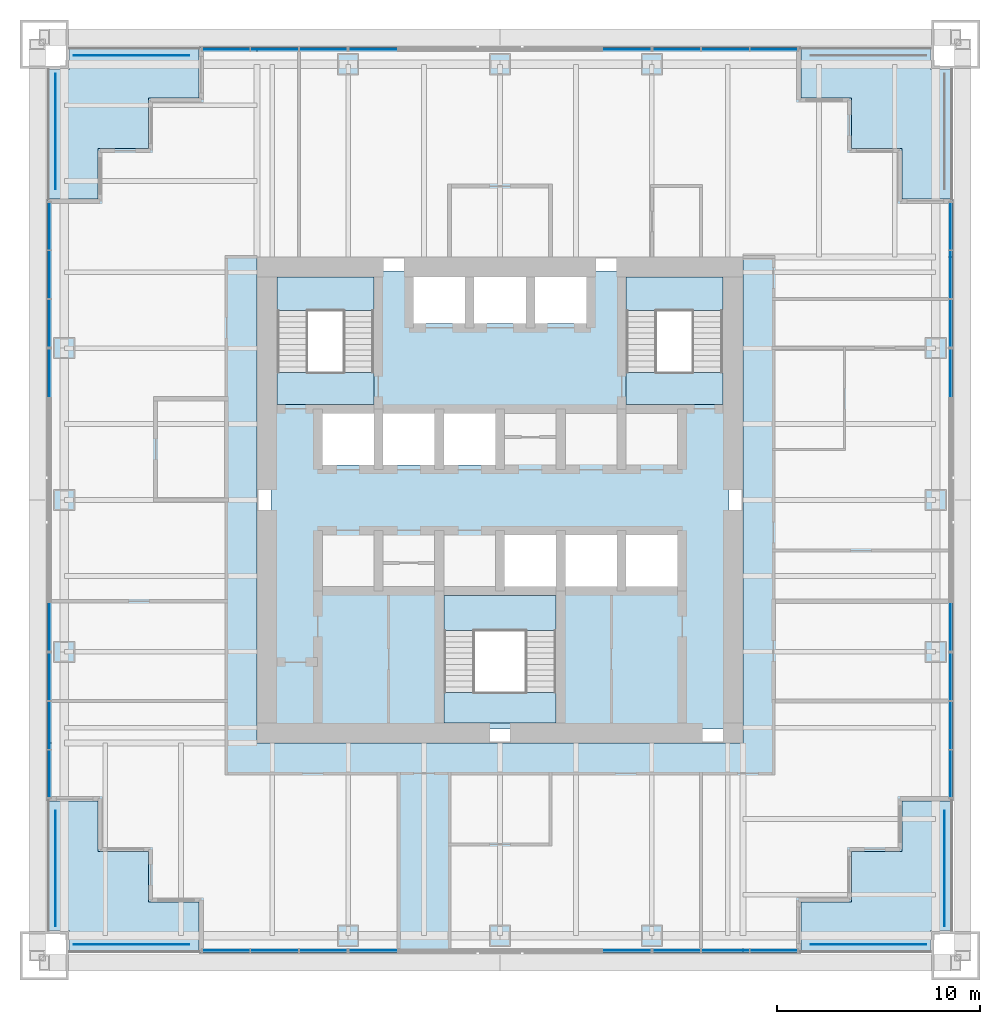
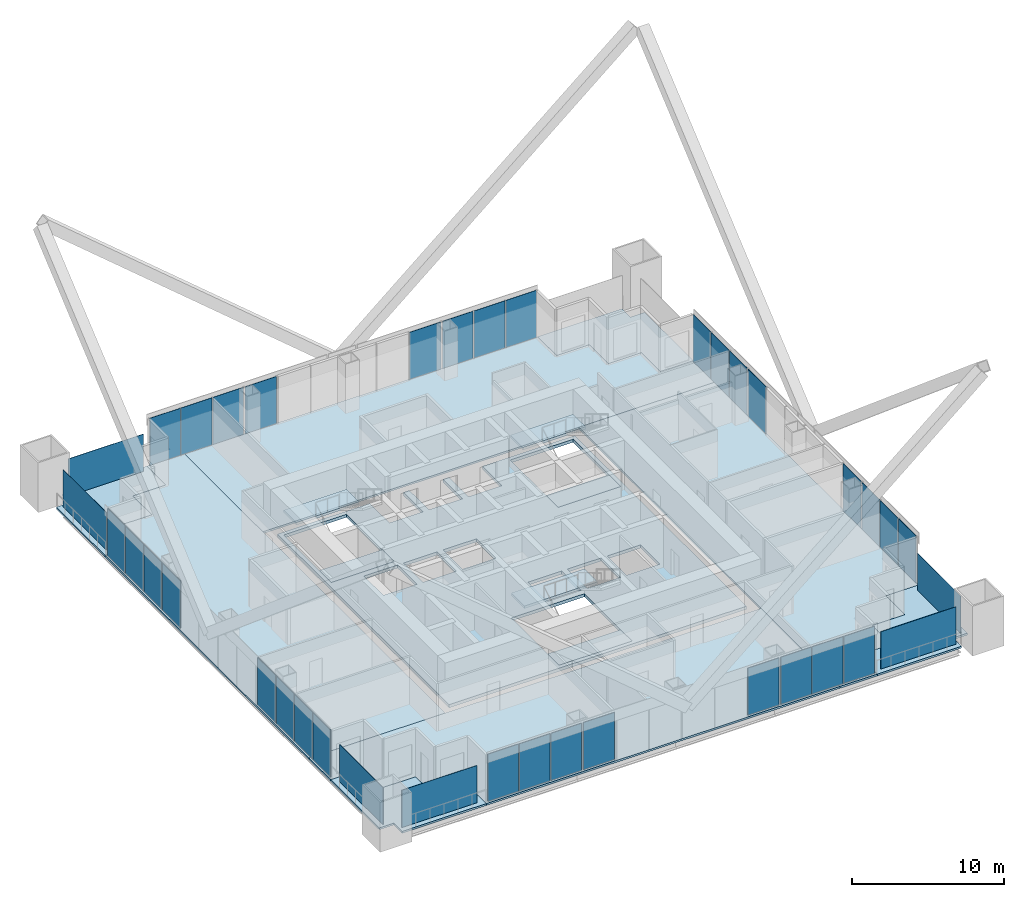
# One storey, part 13 of 19: 38 plates, 15 slabs, 19 elements without a shape of their own.
"""IFC4 building model written with IfcOpenShell, lengths in metres."""

from ifc_helpers import new_model, si_unit, direction, frame, origin, origin_2d, place, context, subcontext, project, spatial, polyline, rectangle, outline, extrude, material, layer, layer_set, type_object, element, aggregate, save


model = new_model("IFC4")

# Units and contexts
model_context = context("Model", 3, precision=1e-05, world=origin(), true_north=direction((0.0, 1.0)))
body_context = subcontext(model_context, "Body", "Model", "MODEL_VIEW")
ifc_project = project(units=[si_unit("LENGTHUNIT", "METRE"), si_unit("AREAUNIT", "SQUARE_METRE"), si_unit("VOLUMEUNIT", "CUBIC_METRE"), si_unit("PLANEANGLEUNIT", "RADIAN"), si_unit("MASSUNIT", "GRAM", prefix="KILO")], contexts=[model_context])

# Site, building, storey
site_placement = place(None, origin())
site = spatial("IfcSite", under=ifc_project, at=site_placement, CompositionType="ELEMENT")
building_placement = place(site_placement, origin())
building = spatial("IfcBuilding", under=site, at=building_placement, Name="Tarangal Relay Tower", CompositionType="ELEMENT")
storey_placement = place(building_placement, frame((0.0, 0.0, 193.89990234375)))
storey = spatial("IfcBuildingStorey", under=building, at=storey_placement, Name="L40", CompositionType="ELEMENT", Elevation=193.89990234375)

# Slabs
ifc_material_1 = material(Name="Concrete fc' 35 MPa", Category="concrete")
ifc_layer_1 = layer(ifc_material_1, 0.25)
ifc_layer_set_1 = layer_set([ifc_layer_1], Name="Core floor slab 250")
slab_type_1 = type_object("IfcSlabType", Name="Core floor slab 250", PredefinedType="FLOOR", material=ifc_layer_set_1)
slab_1_placement = place(storey_placement, frame((0.0, 0.0, -0.25)))
element("IfcSlab", 1, at=slab_1_placement, inside=storey, type_object=slab_type_1, Name="Core floor slab L40", PredefinedType="FLOOR", context=body_context, shape_type="SweptSolid", body=[
    extrude(outline(polyline([(11.300048828125, 11.300048828125), (11.300048828125, -11.300048828125), (-11.300048828125, -11.300048828125), (-11.300048828125, 11.300048828125), (-4.27490234375, 11.300048828125), (-4.27490234375, 8.72509765625), (-1.72509765625, 8.72509765625), (-1.72509765625, 11.300048828125), (-1.27490234375, 11.300048828125), (-1.27490234375, 8.72509765625), (1.27490234375, 8.72509765625), (1.27490234375, 11.300048828125), (1.72509765625, 11.300048828125), (1.72509765625, 8.72509765625), (4.27490234375, 8.72509765625), (4.27490234375, 11.300048828125), (11.300048828125, 11.300048828125)]), holes=[polyline([(-6.22509765625, 4.27490234375), (-8.77490234375, 4.27490234375), (-8.77490234375, 1.72509765625), (-6.22509765625, 1.72509765625), (-6.22509765625, 4.27490234375)]), polyline([(-3.22509765625, 1.72509765625), (-3.22509765625, 4.27490234375), (-5.77490234375, 4.27490234375), (-5.77490234375, 1.72509765625), (-3.22509765625, 1.72509765625)]), polyline([(-0.22509765625, 1.72509765625), (-0.22509765625, 4.27490234375), (-2.77490234375, 4.27490234375), (-2.77490234375, 1.72509765625), (-0.22509765625, 1.72509765625)]), polyline([(-6.22509765625, 11.0), (-11.0, 11.0), (-11.0, 4.72509765625), (-6.22509765625, 4.72509765625), (-6.22509765625, 11.0)]), polyline([(2.77490234375, -4.72509765625), (-2.77490234375, -4.72509765625), (-2.77490234375, -11.0), (2.77490234375, -11.0), (2.77490234375, -4.72509765625)]), polyline([(2.77490234375, -4.27490234375), (2.77490234375, -1.72509765625), (0.22509765625, -1.72509765625), (0.22509765625, -4.27490234375), (2.77490234375, -4.27490234375)]), polyline([(5.77490234375, -4.27490234375), (5.77490234375, -1.72509765625), (3.22509765625, -1.72509765625), (3.22509765625, -4.27490234375), (5.77490234375, -4.27490234375)]), polyline([(8.77490234375, -1.72509765625), (6.22509765625, -1.72509765625), (6.22509765625, -4.27490234375), (8.77490234375, -4.27490234375), (8.77490234375, -1.72509765625)]), polyline([(11.0, 4.72509765625), (11.0, 11.0), (6.22509765625, 11.0), (6.22509765625, 4.72509765625), (11.0, 4.72509765625)])]), origin(), (0.0, 0.0, 1.0), 0.25),
])
ifc_layer_2 = layer(ifc_material_1, 0.14990234375)
ifc_layer_set_2 = layer_set([ifc_layer_2], Name="Floor slab 150")
slab_type_2 = type_object("IfcSlabType", Name="Floor slab 150", PredefinedType="FLOOR", material=ifc_layer_set_2)
slab_2_placement = place(storey_placement, frame((0.0, 0.0, -0.14990234375)))
element("IfcSlab", 2, at=slab_2_placement, inside=storey, type_object=slab_type_2, Name="Floor slab FS3 L40 north bay", PredefinedType="FLOOR", context=body_context, shape_type="SweptSolid", body=[
    extrude(outline(polyline([(14.85009765625, 22.35009765625), (14.85009765625, 19.85009765625), (17.35009765625, 19.85009765625), (17.35009765625, 17.35009765625), (19.85009765625, 17.35009765625), (19.85009765625, 14.85009765625), (22.35009765625, 14.85009765625), (22.35009765625, 12.0), (-12.0, 12.0), (-12.0, 22.35009765625), (14.85009765625, 22.35009765625)])), origin(), (0.0, 0.0, 1.0), 0.14990234375),
])
slab_3_placement = place(storey_placement, frame((0.0, 0.0, -0.14990234375)))
element("IfcSlab", 3, at=slab_3_placement, inside=storey, type_object=slab_type_2, Name="Floor slab FS3 L40 east bay", PredefinedType="FLOOR", context=body_context, shape_type="SweptSolid", body=[
    extrude(outline(polyline([(22.35009765625, -14.85009765625), (19.85009765625, -14.85009765625), (19.85009765625, -17.35009765625), (17.35009765625, -17.35009765625), (17.35009765625, -19.85009765625), (14.85009765625, -19.85009765625), (14.85009765625, -22.35009765625), (12.0, -22.35009765625), (12.0, 12.0), (22.35009765625, 12.0), (22.35009765625, -14.85009765625)])), origin(), (0.0, 0.0, 1.0), 0.14990234375),
])
slab_4_placement = place(storey_placement, frame((0.0, 0.0, -0.14990234375)))
element("IfcSlab", 4, at=slab_4_placement, inside=storey, type_object=slab_type_2, Name="Floor slab FS3 L40 south bay", PredefinedType="FLOOR", context=body_context, shape_type="SweptSolid", body=[
    extrude(outline(polyline([(-14.85009765625, -22.35009765625), (-14.85009765625, -19.85009765625), (-17.35009765625, -19.85009765625), (-17.35009765625, -17.35009765625), (-19.85009765625, -17.35009765625), (-19.85009765625, -14.85009765625), (-22.35009765625, -14.85009765625), (-22.35009765625, -12.0), (12.0, -12.0), (12.0, -22.35009765625), (-14.85009765625, -22.35009765625)])), origin(), (0.0, 0.0, 1.0), 0.14990234375),
])
slab_5_placement = place(storey_placement, frame((0.0, 0.0, -0.14990234375)))
element("IfcSlab", 5, at=slab_5_placement, inside=storey, type_object=slab_type_2, Name="Floor slab FS3 L40 west bay", PredefinedType="FLOOR", context=body_context, shape_type="SweptSolid", body=[
    extrude(outline(polyline([(-12.0, 22.35009765625), (-12.0, -12.0), (-22.35009765625, -12.0), (-22.35009765625, 14.85009765625), (-19.85009765625, 14.85009765625), (-19.85009765625, 17.35009765625), (-17.35009765625, 17.35009765625), (-17.35009765625, 19.85009765625), (-14.85009765625, 19.85009765625), (-14.85009765625, 22.35009765625), (-12.0, 22.35009765625)])), origin(), (0.0, 0.0, 1.0), 0.14990234375),
])

# Curtain wall, plates
ifc_material_2 = material(Name="Unitised curtain wall, dark glass and black aluminium", Category="aluminium")
curtain_wall_type = type_object("IfcCurtainWallType", Name="Curtain wall CW-A", PredefinedType="USERDEFINED", material=ifc_material_2)
curtain_wall_1_placement = place(storey_placement, origin())
curtain_wall_1 = element("IfcCurtainWall", 6, at=curtain_wall_1_placement, inside=storey, type_object=curtain_wall_type, Name="Curtain wall CW-A N facade L40", ObjectType="UNITISED CURTAIN WALL", PredefinedType="USERDEFINED")
ifc_material_3 = material(Name="Dark tinted insulated glass unit", Category="glass")
ifc_layer_3 = layer(ifc_material_3, 0.031982421875)
ifc_layer_set_3 = layer_set([ifc_layer_3], Name="Glazed panel CW-A 32")
plate_type_1 = type_object("IfcPlateType", Name="Glazed panel CW-A 32", PredefinedType="CURTAIN_PANEL", material=ifc_layer_set_3)
plate_1_placement = place(storey_placement, frame((-13.525390625, 22.25, 0.06494140625), z_axis=(0.0, 0.0, 1.0), x_axis=(1.0, 0.0, 0.0)))
plate_1 = element("IfcPlate", 7, at=plate_1_placement, type_object=plate_type_1, Name="CW-A panel 1.1", PredefinedType="CURTAIN_PANEL", context=body_context, shape_type="SweptSolid", body=[
    extrude(rectangle(XDim=2.319091796875, YDim=0.031982421875, at=origin_2d()), origin(), (0.0, 0.0, 1.0), 3.784912109375),
])
plate_2_placement = place(storey_placement, frame((-11.125, 22.25, 0.06494140625), z_axis=(0.0, 0.0, 1.0), x_axis=(1.0, 0.0, 0.0)))
plate_2 = element("IfcPlate", 8, at=plate_2_placement, type_object=plate_type_1, Name="CW-A panel 2.1", PredefinedType="CURTAIN_PANEL", context=body_context, shape_type="SweptSolid", body=[
    extrude(rectangle(XDim=2.3515625, YDim=0.031982421875, at=origin_2d()), origin(), (0.0, 0.0, 1.0), 3.784912109375),
])
plate_3_placement = place(storey_placement, frame((-8.724609375, 22.25, 0.06494140625), z_axis=(0.0, 0.0, 1.0), x_axis=(1.0, 0.0, 0.0)))
plate_3 = element("IfcPlate", 9, at=plate_3_placement, type_object=plate_type_1, Name="CW-A panel 3.1", PredefinedType="CURTAIN_PANEL", context=body_context, shape_type="SweptSolid", body=[
    extrude(rectangle(XDim=2.319091796875, YDim=0.031982421875, at=origin_2d()), origin(), (0.0, 0.0, 1.0), 3.784912109375),
])
aggregate(curtain_wall_1, [plate_1, plate_2, plate_3])

# Curtain wall, plate
curtain_wall_2_placement = place(storey_placement, origin())
curtain_wall_2 = element("IfcCurtainWall", 10, at=curtain_wall_2_placement, inside=storey, type_object=curtain_wall_type, Name="Curtain wall CW-A N facade L40", ObjectType="UNITISED CURTAIN WALL", PredefinedType="USERDEFINED")
plate_4_placement = place(storey_placement, frame((-6.25, 22.25, 0.06494140625), z_axis=(0.0, 0.0, 1.0), x_axis=(1.0, 0.0, 0.0)))
plate_4 = element("IfcPlate", 11, at=plate_4_placement, type_object=plate_type_1, Name="CW-A panel 1.1", PredefinedType="CURTAIN_PANEL", context=body_context, shape_type="SweptSolid", body=[
    extrude(rectangle(XDim=2.3701171875, YDim=0.031982421875, at=origin_2d()), origin(), (0.0, 0.0, 1.0), 3.784912109375),
])
aggregate(curtain_wall_2, [plate_4])

curtain_wall_3_placement = place(storey_placement, origin())
curtain_wall_3 = element("IfcCurtainWall", 12, at=curtain_wall_3_placement, inside=storey, type_object=curtain_wall_type, Name="Curtain wall CW-A N facade L40", ObjectType="UNITISED CURTAIN WALL", PredefinedType="USERDEFINED")
plate_5_placement = place(storey_placement, frame((6.25, 22.25, 0.06494140625), z_axis=(0.0, 0.0, 1.0), x_axis=(1.0, 0.0, 0.0)))
plate_5 = element("IfcPlate", 13, at=plate_5_placement, type_object=plate_type_1, Name="CW-A panel 1.1", PredefinedType="CURTAIN_PANEL", context=body_context, shape_type="SweptSolid", body=[
    extrude(rectangle(XDim=2.3701171875, YDim=0.031982421875, at=origin_2d()), origin(), (0.0, 0.0, 1.0), 3.784912109375),
])
aggregate(curtain_wall_3, [plate_5])

# Curtain wall, plates
curtain_wall_4_placement = place(storey_placement, origin())
curtain_wall_4 = element("IfcCurtainWall", 14, at=curtain_wall_4_placement, inside=storey, type_object=curtain_wall_type, Name="Curtain wall CW-A N facade L40", ObjectType="UNITISED CURTAIN WALL", PredefinedType="USERDEFINED")
plate_6_placement = place(storey_placement, frame((8.724609375, 22.25, 0.06494140625), z_axis=(0.0, 0.0, 1.0), x_axis=(1.0, 0.0, 0.0)))
plate_6 = element("IfcPlate", 15, at=plate_6_placement, type_object=plate_type_1, Name="CW-A panel 1.1", PredefinedType="CURTAIN_PANEL", context=body_context, shape_type="SweptSolid", body=[
    extrude(rectangle(XDim=2.319091796875, YDim=0.031982421875, at=origin_2d()), origin(), (0.0, 0.0, 1.0), 3.784912109375),
])
plate_7_placement = place(storey_placement, frame((11.125, 22.25, 0.06494140625), z_axis=(0.0, 0.0, 1.0), x_axis=(1.0, 0.0, 0.0)))
plate_7 = element("IfcPlate", 16, at=plate_7_placement, type_object=plate_type_1, Name="CW-A panel 2.1", PredefinedType="CURTAIN_PANEL", context=body_context, shape_type="SweptSolid", body=[
    extrude(rectangle(XDim=2.3515625, YDim=0.031982421875, at=origin_2d()), origin(), (0.0, 0.0, 1.0), 3.784912109375),
])
plate_8_placement = place(storey_placement, frame((13.525390625, 22.25, 0.06494140625), z_axis=(0.0, 0.0, 1.0), x_axis=(1.0, 0.0, 0.0)))
plate_8 = element("IfcPlate", 17, at=plate_8_placement, type_object=plate_type_1, Name="CW-A panel 3.1", PredefinedType="CURTAIN_PANEL", context=body_context, shape_type="SweptSolid", body=[
    extrude(rectangle(XDim=2.319091796875, YDim=0.031982421875, at=origin_2d()), origin(), (0.0, 0.0, 1.0), 3.784912109375),
])
aggregate(curtain_wall_4, [plate_6, plate_7, plate_8])

curtain_wall_5_placement = place(storey_placement, origin())
curtain_wall_5 = element("IfcCurtainWall", 18, at=curtain_wall_5_placement, inside=storey, type_object=curtain_wall_type, Name="Curtain wall CW-A E facade L40", ObjectType="UNITISED CURTAIN WALL", PredefinedType="USERDEFINED")
plate_9_placement = place(storey_placement, frame((22.25, 13.525390625, 0.06494140625), z_axis=(0.0, 0.0, 1.0), x_axis=(0.0, -1.0, 0.0)))
plate_9 = element("IfcPlate", 19, at=plate_9_placement, type_object=plate_type_1, Name="CW-A panel 1.1", PredefinedType="CURTAIN_PANEL", context=body_context, shape_type="SweptSolid", body=[
    extrude(rectangle(XDim=2.319091796875, YDim=0.031982421875, at=origin_2d()), origin(), (0.0, 0.0, 1.0), 3.784912109375),
])
plate_10_placement = place(storey_placement, frame((22.25, 11.125, 0.06494140625), z_axis=(0.0, 0.0, 1.0), x_axis=(0.0, -1.0, 0.0)))
plate_10 = element("IfcPlate", 20, at=plate_10_placement, type_object=plate_type_1, Name="CW-A panel 2.1", PredefinedType="CURTAIN_PANEL", context=body_context, shape_type="SweptSolid", body=[
    extrude(rectangle(XDim=2.3515625, YDim=0.031982421875, at=origin_2d()), origin(), (0.0, 0.0, 1.0), 3.784912109375),
])
plate_11_placement = place(storey_placement, frame((22.25, 8.724609375, 0.06494140625), z_axis=(0.0, 0.0, 1.0), x_axis=(0.0, -1.0, 0.0)))
plate_11 = element("IfcPlate", 21, at=plate_11_placement, type_object=plate_type_1, Name="CW-A panel 3.1", PredefinedType="CURTAIN_PANEL", context=body_context, shape_type="SweptSolid", body=[
    extrude(rectangle(XDim=2.319091796875, YDim=0.031982421875, at=origin_2d()), origin(), (0.0, 0.0, 1.0), 3.784912109375),
])
aggregate(curtain_wall_5, [plate_9, plate_10, plate_11])

# Curtain wall, plate
curtain_wall_6_placement = place(storey_placement, origin())
curtain_wall_6 = element("IfcCurtainWall", 22, at=curtain_wall_6_placement, inside=storey, type_object=curtain_wall_type, Name="Curtain wall CW-A E facade L40", ObjectType="UNITISED CURTAIN WALL", PredefinedType="USERDEFINED")
plate_12_placement = place(storey_placement, frame((22.25, 6.25, 0.06494140625), z_axis=(0.0, 0.0, 1.0), x_axis=(0.0, -1.0, 0.0)))
plate_12 = element("IfcPlate", 23, at=plate_12_placement, type_object=plate_type_1, Name="CW-A panel 1.1", PredefinedType="CURTAIN_PANEL", context=body_context, shape_type="SweptSolid", body=[
    extrude(rectangle(XDim=2.3701171875, YDim=0.031982421875, at=origin_2d()), origin(), (0.0, 0.0, 1.0), 3.784912109375),
])
aggregate(curtain_wall_6, [plate_12])

curtain_wall_7_placement = place(storey_placement, origin())
curtain_wall_7 = element("IfcCurtainWall", 24, at=curtain_wall_7_placement, inside=storey, type_object=curtain_wall_type, Name="Curtain wall CW-A E facade L40", ObjectType="UNITISED CURTAIN WALL", PredefinedType="USERDEFINED")
plate_13_placement = place(storey_placement, frame((22.25, -6.25, 0.06494140625), z_axis=(0.0, 0.0, 1.0), x_axis=(0.0, -1.0, 0.0)))
plate_13 = element("IfcPlate", 25, at=plate_13_placement, type_object=plate_type_1, Name="CW-A panel 1.1", PredefinedType="CURTAIN_PANEL", context=body_context, shape_type="SweptSolid", body=[
    extrude(rectangle(XDim=2.3701171875, YDim=0.031982421875, at=origin_2d()), origin(), (0.0, 0.0, 1.0), 3.784912109375),
])
aggregate(curtain_wall_7, [plate_13])

# Curtain wall, plates
curtain_wall_8_placement = place(storey_placement, origin())
curtain_wall_8 = element("IfcCurtainWall", 26, at=curtain_wall_8_placement, inside=storey, type_object=curtain_wall_type, Name="Curtain wall CW-A E facade L40", ObjectType="UNITISED CURTAIN WALL", PredefinedType="USERDEFINED")
plate_14_placement = place(storey_placement, frame((22.25, -8.724609375, 0.06494140625), z_axis=(0.0, 0.0, 1.0), x_axis=(0.0, -1.0, 0.0)))
plate_14 = element("IfcPlate", 27, at=plate_14_placement, type_object=plate_type_1, Name="CW-A panel 1.1", PredefinedType="CURTAIN_PANEL", context=body_context, shape_type="SweptSolid", body=[
    extrude(rectangle(XDim=2.319091796875, YDim=0.031982421875, at=origin_2d()), origin(), (0.0, 0.0, 1.0), 3.784912109375),
])
plate_15_placement = place(storey_placement, frame((22.25, -11.125, 0.06494140625), z_axis=(0.0, 0.0, 1.0), x_axis=(0.0, -1.0, 0.0)))
plate_15 = element("IfcPlate", 28, at=plate_15_placement, type_object=plate_type_1, Name="CW-A panel 2.1", PredefinedType="CURTAIN_PANEL", context=body_context, shape_type="SweptSolid", body=[
    extrude(rectangle(XDim=2.3515625, YDim=0.031982421875, at=origin_2d()), origin(), (0.0, 0.0, 1.0), 3.784912109375),
])
plate_16_placement = place(storey_placement, frame((22.25, -13.525390625, 0.06494140625), z_axis=(0.0, 0.0, 1.0), x_axis=(0.0, -1.0, 0.0)))
plate_16 = element("IfcPlate", 29, at=plate_16_placement, type_object=plate_type_1, Name="CW-A panel 3.1", PredefinedType="CURTAIN_PANEL", context=body_context, shape_type="SweptSolid", body=[
    extrude(rectangle(XDim=2.319091796875, YDim=0.031982421875, at=origin_2d()), origin(), (0.0, 0.0, 1.0), 3.784912109375),
])
aggregate(curtain_wall_8, [plate_14, plate_15, plate_16])

curtain_wall_9_placement = place(storey_placement, origin())
curtain_wall_9 = element("IfcCurtainWall", 30, at=curtain_wall_9_placement, inside=storey, type_object=curtain_wall_type, Name="Curtain wall CW-A S facade L40", ObjectType="UNITISED CURTAIN WALL", PredefinedType="USERDEFINED")
plate_17_placement = place(storey_placement, frame((13.525390625, -22.25, 0.06494140625), z_axis=(0.0, 0.0, 1.0), x_axis=(-1.0, 0.0, 0.0)))
plate_17 = element("IfcPlate", 31, at=plate_17_placement, type_object=plate_type_1, Name="CW-A panel 1.1", PredefinedType="CURTAIN_PANEL", context=body_context, shape_type="SweptSolid", body=[
    extrude(rectangle(XDim=2.319091796875, YDim=0.031982421875, at=origin_2d()), origin(), (0.0, 0.0, 1.0), 3.784912109375),
])
plate_18_placement = place(storey_placement, frame((11.125, -22.25, 0.06494140625), z_axis=(0.0, 0.0, 1.0), x_axis=(-1.0, 0.0, 0.0)))
plate_18 = element("IfcPlate", 32, at=plate_18_placement, type_object=plate_type_1, Name="CW-A panel 2.1", PredefinedType="CURTAIN_PANEL", context=body_context, shape_type="SweptSolid", body=[
    extrude(rectangle(XDim=2.3515625, YDim=0.031982421875, at=origin_2d()), origin(), (0.0, 0.0, 1.0), 3.784912109375),
])
plate_19_placement = place(storey_placement, frame((8.724609375, -22.25, 0.06494140625), z_axis=(0.0, 0.0, 1.0), x_axis=(-1.0, 0.0, 0.0)))
plate_19 = element("IfcPlate", 33, at=plate_19_placement, type_object=plate_type_1, Name="CW-A panel 3.1", PredefinedType="CURTAIN_PANEL", context=body_context, shape_type="SweptSolid", body=[
    extrude(rectangle(XDim=2.319091796875, YDim=0.031982421875, at=origin_2d()), origin(), (0.0, 0.0, 1.0), 3.784912109375),
])
aggregate(curtain_wall_9, [plate_17, plate_18, plate_19])

# Curtain wall, plate
curtain_wall_10_placement = place(storey_placement, origin())
curtain_wall_10 = element("IfcCurtainWall", 34, at=curtain_wall_10_placement, inside=storey, type_object=curtain_wall_type, Name="Curtain wall CW-A S facade L40", ObjectType="UNITISED CURTAIN WALL", PredefinedType="USERDEFINED")
plate_20_placement = place(storey_placement, frame((6.25, -22.25, 0.06494140625), z_axis=(0.0, 0.0, 1.0), x_axis=(-1.0, 0.0, 0.0)))
plate_20 = element("IfcPlate", 35, at=plate_20_placement, type_object=plate_type_1, Name="CW-A panel 1.1", PredefinedType="CURTAIN_PANEL", context=body_context, shape_type="SweptSolid", body=[
    extrude(rectangle(XDim=2.3701171875, YDim=0.031982421875, at=origin_2d()), origin(), (0.0, 0.0, 1.0), 3.784912109375),
])
aggregate(curtain_wall_10, [plate_20])

curtain_wall_11_placement = place(storey_placement, origin())
curtain_wall_11 = element("IfcCurtainWall", 36, at=curtain_wall_11_placement, inside=storey, type_object=curtain_wall_type, Name="Curtain wall CW-A S facade L40", ObjectType="UNITISED CURTAIN WALL", PredefinedType="USERDEFINED")
plate_21_placement = place(storey_placement, frame((-6.25, -22.25, 0.06494140625), z_axis=(0.0, 0.0, 1.0), x_axis=(-1.0, 0.0, 0.0)))
plate_21 = element("IfcPlate", 37, at=plate_21_placement, type_object=plate_type_1, Name="CW-A panel 1.1", PredefinedType="CURTAIN_PANEL", context=body_context, shape_type="SweptSolid", body=[
    extrude(rectangle(XDim=2.3701171875, YDim=0.031982421875, at=origin_2d()), origin(), (0.0, 0.0, 1.0), 3.784912109375),
])
aggregate(curtain_wall_11, [plate_21])

# Curtain wall, plates
curtain_wall_12_placement = place(storey_placement, origin())
curtain_wall_12 = element("IfcCurtainWall", 38, at=curtain_wall_12_placement, inside=storey, type_object=curtain_wall_type, Name="Curtain wall CW-A S facade L40", ObjectType="UNITISED CURTAIN WALL", PredefinedType="USERDEFINED")
plate_22_placement = place(storey_placement, frame((-8.724609375, -22.25, 0.06494140625), z_axis=(0.0, 0.0, 1.0), x_axis=(-1.0, 0.0, 0.0)))
plate_22 = element("IfcPlate", 39, at=plate_22_placement, type_object=plate_type_1, Name="CW-A panel 1.1", PredefinedType="CURTAIN_PANEL", context=body_context, shape_type="SweptSolid", body=[
    extrude(rectangle(XDim=2.319091796875, YDim=0.031982421875, at=origin_2d()), origin(), (0.0, 0.0, 1.0), 3.784912109375),
])
plate_23_placement = place(storey_placement, frame((-11.125, -22.25, 0.06494140625), z_axis=(0.0, 0.0, 1.0), x_axis=(-1.0, 0.0, 0.0)))
plate_23 = element("IfcPlate", 40, at=plate_23_placement, type_object=plate_type_1, Name="CW-A panel 2.1", PredefinedType="CURTAIN_PANEL", context=body_context, shape_type="SweptSolid", body=[
    extrude(rectangle(XDim=2.3515625, YDim=0.031982421875, at=origin_2d()), origin(), (0.0, 0.0, 1.0), 3.784912109375),
])
plate_24_placement = place(storey_placement, frame((-13.525390625, -22.25, 0.06494140625), z_axis=(0.0, 0.0, 1.0), x_axis=(-1.0, 0.0, 0.0)))
plate_24 = element("IfcPlate", 41, at=plate_24_placement, type_object=plate_type_1, Name="CW-A panel 3.1", PredefinedType="CURTAIN_PANEL", context=body_context, shape_type="SweptSolid", body=[
    extrude(rectangle(XDim=2.319091796875, YDim=0.031982421875, at=origin_2d()), origin(), (0.0, 0.0, 1.0), 3.784912109375),
])
aggregate(curtain_wall_12, [plate_22, plate_23, plate_24])

curtain_wall_13_placement = place(storey_placement, origin())
curtain_wall_13 = element("IfcCurtainWall", 42, at=curtain_wall_13_placement, inside=storey, type_object=curtain_wall_type, Name="Curtain wall CW-A W facade L40", ObjectType="UNITISED CURTAIN WALL", PredefinedType="USERDEFINED")
plate_25_placement = place(storey_placement, frame((-22.25, -13.525390625, 0.06494140625), z_axis=(0.0, 0.0, 1.0), x_axis=(0.0, 1.0, 0.0)))
plate_25 = element("IfcPlate", 43, at=plate_25_placement, type_object=plate_type_1, Name="CW-A panel 1.1", PredefinedType="CURTAIN_PANEL", context=body_context, shape_type="SweptSolid", body=[
    extrude(rectangle(XDim=2.319091796875, YDim=0.031982421875, at=origin_2d()), origin(), (0.0, 0.0, 1.0), 3.784912109375),
])
plate_26_placement = place(storey_placement, frame((-22.25, -11.125, 0.06494140625), z_axis=(0.0, 0.0, 1.0), x_axis=(0.0, 1.0, 0.0)))
plate_26 = element("IfcPlate", 44, at=plate_26_placement, type_object=plate_type_1, Name="CW-A panel 2.1", PredefinedType="CURTAIN_PANEL", context=body_context, shape_type="SweptSolid", body=[
    extrude(rectangle(XDim=2.3515625, YDim=0.031982421875, at=origin_2d()), origin(), (0.0, 0.0, 1.0), 3.784912109375),
])
plate_27_placement = place(storey_placement, frame((-22.25, -8.724609375, 0.06494140625), z_axis=(0.0, 0.0, 1.0), x_axis=(0.0, 1.0, 0.0)))
plate_27 = element("IfcPlate", 45, at=plate_27_placement, type_object=plate_type_1, Name="CW-A panel 3.1", PredefinedType="CURTAIN_PANEL", context=body_context, shape_type="SweptSolid", body=[
    extrude(rectangle(XDim=2.319091796875, YDim=0.031982421875, at=origin_2d()), origin(), (0.0, 0.0, 1.0), 3.784912109375),
])
aggregate(curtain_wall_13, [plate_25, plate_26, plate_27])

# Curtain wall, plate
curtain_wall_14_placement = place(storey_placement, origin())
curtain_wall_14 = element("IfcCurtainWall", 46, at=curtain_wall_14_placement, inside=storey, type_object=curtain_wall_type, Name="Curtain wall CW-A W facade L40", ObjectType="UNITISED CURTAIN WALL", PredefinedType="USERDEFINED")
plate_28_placement = place(storey_placement, frame((-22.25, -6.25, 0.06494140625), z_axis=(0.0, 0.0, 1.0), x_axis=(0.0, 1.0, 0.0)))
plate_28 = element("IfcPlate", 47, at=plate_28_placement, type_object=plate_type_1, Name="CW-A panel 1.1", PredefinedType="CURTAIN_PANEL", context=body_context, shape_type="SweptSolid", body=[
    extrude(rectangle(XDim=2.3701171875, YDim=0.031982421875, at=origin_2d()), origin(), (0.0, 0.0, 1.0), 3.784912109375),
])
aggregate(curtain_wall_14, [plate_28])

curtain_wall_15_placement = place(storey_placement, origin())
curtain_wall_15 = element("IfcCurtainWall", 48, at=curtain_wall_15_placement, inside=storey, type_object=curtain_wall_type, Name="Curtain wall CW-A W facade L40", ObjectType="UNITISED CURTAIN WALL", PredefinedType="USERDEFINED")
plate_29_placement = place(storey_placement, frame((-22.25, 6.25, 0.06494140625), z_axis=(0.0, 0.0, 1.0), x_axis=(0.0, 1.0, 0.0)))
plate_29 = element("IfcPlate", 49, at=plate_29_placement, type_object=plate_type_1, Name="CW-A panel 1.1", PredefinedType="CURTAIN_PANEL", context=body_context, shape_type="SweptSolid", body=[
    extrude(rectangle(XDim=2.3701171875, YDim=0.031982421875, at=origin_2d()), origin(), (0.0, 0.0, 1.0), 3.784912109375),
])
aggregate(curtain_wall_15, [plate_29])

# Curtain wall, plates
curtain_wall_16_placement = place(storey_placement, origin())
curtain_wall_16 = element("IfcCurtainWall", 50, at=curtain_wall_16_placement, inside=storey, type_object=curtain_wall_type, Name="Curtain wall CW-A W facade L40", ObjectType="UNITISED CURTAIN WALL", PredefinedType="USERDEFINED")
plate_30_placement = place(storey_placement, frame((-22.25, 8.724609375, 0.06494140625), z_axis=(0.0, 0.0, 1.0), x_axis=(0.0, 1.0, 0.0)))
plate_30 = element("IfcPlate", 51, at=plate_30_placement, type_object=plate_type_1, Name="CW-A panel 1.1", PredefinedType="CURTAIN_PANEL", context=body_context, shape_type="SweptSolid", body=[
    extrude(rectangle(XDim=2.319091796875, YDim=0.031982421875, at=origin_2d()), origin(), (0.0, 0.0, 1.0), 3.784912109375),
])
plate_31_placement = place(storey_placement, frame((-22.25, 11.125, 0.06494140625), z_axis=(0.0, 0.0, 1.0), x_axis=(0.0, 1.0, 0.0)))
plate_31 = element("IfcPlate", 52, at=plate_31_placement, type_object=plate_type_1, Name="CW-A panel 2.1", PredefinedType="CURTAIN_PANEL", context=body_context, shape_type="SweptSolid", body=[
    extrude(rectangle(XDim=2.3515625, YDim=0.031982421875, at=origin_2d()), origin(), (0.0, 0.0, 1.0), 3.784912109375),
])
plate_32_placement = place(storey_placement, frame((-22.25, 13.525390625, 0.06494140625), z_axis=(0.0, 0.0, 1.0), x_axis=(0.0, 1.0, 0.0)))
plate_32 = element("IfcPlate", 53, at=plate_32_placement, type_object=plate_type_1, Name="CW-A panel 3.1", PredefinedType="CURTAIN_PANEL", context=body_context, shape_type="SweptSolid", body=[
    extrude(rectangle(XDim=2.319091796875, YDim=0.031982421875, at=origin_2d()), origin(), (0.0, 0.0, 1.0), 3.784912109375),
])
aggregate(curtain_wall_16, [plate_30, plate_31, plate_32])

# Plates
ifc_material_4 = material(Name="Black stainless steel cable trellis with climbing planting", Category="steel")
ifc_layer_4 = layer(ifc_material_4, 0.030029296875)
ifc_layer_set_4 = layer_set([ifc_layer_4], Name="Planted trellis screen")
plate_type_2 = type_object("IfcPlateType", Name="Planted trellis screen", PredefinedType="SHEET", material=ifc_layer_set_4)
for number, where, z_axis, x_axis, name in (
    (54, (18.199951171875, -21.949951171875, 0.0), (0.0, 0.0, 1.0), (-1.0, 0.0, 0.0), "Planted trellis SC2 SE L40"),
    (55, (-21.949951171875, -18.199951171875, 0.0), (0.0, 0.0, 1.0), (0.0, 1.0, 0.0), "Planted trellis SC2 SW L40"),
    (56, (-18.199951171875, 21.949951171875, 0.0), (0.0, 0.0, 1.0), (1.0, 0.0, 0.0), "Planted trellis SC2 NW L40"),
):
    element("IfcPlate", number, at=place(storey_placement, frame(where, z_axis=z_axis, x_axis=x_axis)), inside=storey, type_object=plate_type_2, Name=name, PredefinedType="SHEET", context=body_context, shape_type="SweptSolid", body=[
        extrude(rectangle(XDim=5.699951171875, YDim=0.030029296875, at=origin_2d()), origin(), (0.0, 0.0, 1.0), 3.0),
    ])

# Stair, slabs
ifc_material_5 = material(Name="Steel ASTM A992 stair flight", Category="steel")
stair_type = type_object("IfcStairType", Name="Core stair 1500", PredefinedType="HALF_TURN_STAIR", material=ifc_material_5)
stair_1_placement = place(storey_placement, origin())
stair_1 = element("IfcStair", 57, at=stair_1_placement, inside=storey, type_object=stair_type, Name="Stair ST-A L40", PredefinedType="HALF_TURN_STAIR")
ifc_layer_5 = layer(ifc_material_1, 0.199951171875)
ifc_layer_set_5 = layer_set([ifc_layer_5], Name="Stair landing 200")
slab_type_3 = type_object("IfcSlabType", Name="Stair landing 200", PredefinedType="LANDING", material=ifc_layer_set_5)
slab_6_placement = place(storey_placement, frame((0.0, 0.0, -0.199951171875)))
slab_6 = element("IfcSlab", 58, at=slab_6_placement, type_object=slab_type_3, Name="ST-A landing 1", PredefinedType="LANDING", context=body_context, shape_type="SweptSolid", body=[
    extrude(outline(polyline([(-11.0, 4.72509765625), (-6.22509765625, 4.72509765625), (-6.22509765625, 6.300048828125), (-11.0, 6.300048828125), (-11.0, 4.72509765625)])), origin(), (0.0, 0.0, 1.0), 0.199951171875),
])
slab_7_placement = place(storey_placement, frame((0.0, 0.0, 1.800048828125)))
slab_7 = element("IfcSlab", 59, at=slab_7_placement, type_object=slab_type_3, Name="ST-A landing 2", PredefinedType="LANDING", context=body_context, shape_type="SweptSolid", body=[
    extrude(outline(polyline([(-11.0, 9.346923828125), (-6.22509765625, 9.346923828125), (-6.22509765625, 11.0), (-11.0, 11.0), (-11.0, 9.346923828125)])), origin(), (0.0, 0.0, 1.0), 0.199951171875),
])
aggregate(stair_1, [slab_6, slab_7])

stair_2_placement = place(storey_placement, origin())
stair_2 = element("IfcStair", 60, at=stair_2_placement, inside=storey, type_object=stair_type, Name="Stair ST-B L40", PredefinedType="HALF_TURN_STAIR")
slab_8_placement = place(storey_placement, frame((0.0, 0.0, -0.199951171875)))
slab_8 = element("IfcSlab", 61, at=slab_8_placement, type_object=slab_type_3, Name="ST-B landing 1", PredefinedType="LANDING", context=body_context, shape_type="SweptSolid", body=[
    extrude(outline(polyline([(6.22509765625, 4.72509765625), (11.0, 4.72509765625), (11.0, 6.300048828125), (6.22509765625, 6.300048828125), (6.22509765625, 4.72509765625)])), origin(), (0.0, 0.0, 1.0), 0.199951171875),
])
slab_9_placement = place(storey_placement, frame((0.0, 0.0, 1.800048828125)))
slab_9 = element("IfcSlab", 62, at=slab_9_placement, type_object=slab_type_3, Name="ST-B landing 2", PredefinedType="LANDING", context=body_context, shape_type="SweptSolid", body=[
    extrude(outline(polyline([(6.22509765625, 9.346923828125), (11.0, 9.346923828125), (11.0, 11.0), (6.22509765625, 11.0), (6.22509765625, 9.346923828125)])), origin(), (0.0, 0.0, 1.0), 0.199951171875),
])
aggregate(stair_2, [slab_8, slab_9])

stair_3_placement = place(storey_placement, origin())
stair_3 = element("IfcStair", 63, at=stair_3_placement, inside=storey, type_object=stair_type, Name="Stair ST-C L40", PredefinedType="HALF_TURN_STAIR")
slab_10_placement = place(storey_placement, frame((0.0, 0.0, -0.199951171875)))
slab_10 = element("IfcSlab", 64, at=slab_10_placement, type_object=slab_type_3, Name="ST-C landing 1", PredefinedType="LANDING", context=body_context, shape_type="SweptSolid", body=[
    extrude(outline(polyline([(-2.77490234375, -11.0), (2.77490234375, -11.0), (2.77490234375, -9.5), (-2.77490234375, -9.5), (-2.77490234375, -11.0)])), origin(), (0.0, 0.0, 1.0), 0.199951171875),
])
slab_11_placement = place(storey_placement, frame((0.0, 0.0, 1.800048828125)))
slab_11 = element("IfcSlab", 65, at=slab_11_placement, type_object=slab_type_3, Name="ST-C landing 2", PredefinedType="LANDING", context=body_context, shape_type="SweptSolid", body=[
    extrude(outline(polyline([(-2.77490234375, -6.452880859375), (2.77490234375, -6.452880859375), (2.77490234375, -4.72509765625), (-2.77490234375, -4.72509765625), (-2.77490234375, -6.452880859375)])), origin(), (0.0, 0.0, 1.0), 0.199951171875),
])
aggregate(stair_3, [slab_10, slab_11])

# Plates
ifc_material_6 = material(Name="Perforated black aluminium screen", Category="aluminium")
ifc_layer_6 = layer(ifc_material_6, 0.02001953125)
ifc_layer_set_6 = layer_set([ifc_layer_6], Name="Terrace screen panel")
plate_type_3 = type_object("IfcPlateType", Name="Terrace screen panel", PredefinedType="SHEET", material=ifc_layer_set_6)
for number, where, z_axis, x_axis, name in (
    (66, (21.949951171875, -18.199951171875, 0.0), (0.0, 0.0, 1.0), (0.0, -1.0, 0.0), "Terrace screen SC1 SE L40"),
    (67, (-18.199951171875, -21.949951171875, 0.0), (0.0, 0.0, 1.0), (-1.0, 0.0, 0.0), "Terrace screen SC1 SW L40"),
    (68, (-21.949951171875, 18.199951171875, 0.0), (0.0, 0.0, 1.0), (0.0, 1.0, 0.0), "Terrace screen SC1 NW L40"),
):
    element("IfcPlate", number, at=place(storey_placement, frame(where, z_axis=z_axis, x_axis=x_axis)), inside=storey, type_object=plate_type_3, Name=name, PredefinedType="SHEET", context=body_context, shape_type="SweptSolid", body=[
        extrude(rectangle(XDim=5.699951171875, YDim=0.02001953125, at=origin_2d()), origin(), (0.0, 0.0, 1.0), 3.0),
    ])

# Slabs
ifc_layer_7 = layer(ifc_material_1, 0.14990234375)
ifc_layer_set_7 = layer_set([ifc_layer_7], Name="Terrace slab 150")
slab_type_4 = type_object("IfcSlabType", Name="Terrace slab 150", PredefinedType="FLOOR", material=ifc_layer_set_7)
slab_12_placement = place(storey_placement, frame((0.0, 0.0, -0.14990234375)))
element("IfcSlab", 69, at=slab_12_placement, inside=storey, type_object=slab_type_4, Name="Corner terrace NE L40", PredefinedType="FLOOR", context=body_context, shape_type="SweptSolid", body=[
    extrude(outline(polyline([(14.85009765625, 22.35009765625), (14.85009765625, 19.85009765625), (17.35009765625, 19.85009765625), (17.35009765625, 17.35009765625), (19.85009765625, 17.35009765625), (19.85009765625, 14.85009765625), (22.35009765625, 14.85009765625), (22.35009765625, 21.25), (21.25, 21.25), (21.25, 22.35009765625), (14.85009765625, 22.35009765625)])), origin(), (0.0, 0.0, 1.0), 0.14990234375),
])
slab_13_placement = place(storey_placement, frame((0.0, 0.0, -0.14990234375)))
element("IfcSlab", 70, at=slab_13_placement, inside=storey, type_object=slab_type_4, Name="Corner terrace SE L40", PredefinedType="FLOOR", context=body_context, shape_type="SweptSolid", body=[
    extrude(outline(polyline([(22.35009765625, -14.85009765625), (19.85009765625, -14.85009765625), (19.85009765625, -17.35009765625), (17.35009765625, -17.35009765625), (17.35009765625, -19.85009765625), (14.85009765625, -19.85009765625), (14.85009765625, -22.35009765625), (21.25, -22.35009765625), (21.25, -21.25), (22.35009765625, -21.25), (22.35009765625, -14.85009765625)])), origin(), (0.0, 0.0, 1.0), 0.14990234375),
])
slab_14_placement = place(storey_placement, frame((0.0, 0.0, -0.14990234375)))
element("IfcSlab", 71, at=slab_14_placement, inside=storey, type_object=slab_type_4, Name="Corner terrace SW L40", PredefinedType="FLOOR", context=body_context, shape_type="SweptSolid", body=[
    extrude(outline(polyline([(-14.85009765625, -22.35009765625), (-14.85009765625, -19.85009765625), (-17.35009765625, -19.85009765625), (-17.35009765625, -17.35009765625), (-19.85009765625, -17.35009765625), (-19.85009765625, -14.85009765625), (-22.35009765625, -14.85009765625), (-22.35009765625, -21.25), (-21.25, -21.25), (-21.25, -22.35009765625), (-14.85009765625, -22.35009765625)])), origin(), (0.0, 0.0, 1.0), 0.14990234375),
])
slab_15_placement = place(storey_placement, frame((0.0, 0.0, -0.14990234375)))
element("IfcSlab", 72, at=slab_15_placement, inside=storey, type_object=slab_type_4, Name="Corner terrace NW L40", PredefinedType="FLOOR", context=body_context, shape_type="SweptSolid", body=[
    extrude(outline(polyline([(-22.35009765625, 14.85009765625), (-19.85009765625, 14.85009765625), (-19.85009765625, 17.35009765625), (-17.35009765625, 17.35009765625), (-17.35009765625, 19.85009765625), (-14.85009765625, 19.85009765625), (-14.85009765625, 22.35009765625), (-21.25, 22.35009765625), (-21.25, 21.25), (-22.35009765625, 21.25), (-22.35009765625, 14.85009765625)])), origin(), (0.0, 0.0, 1.0), 0.14990234375),
])

save(model, "model.ifc")
